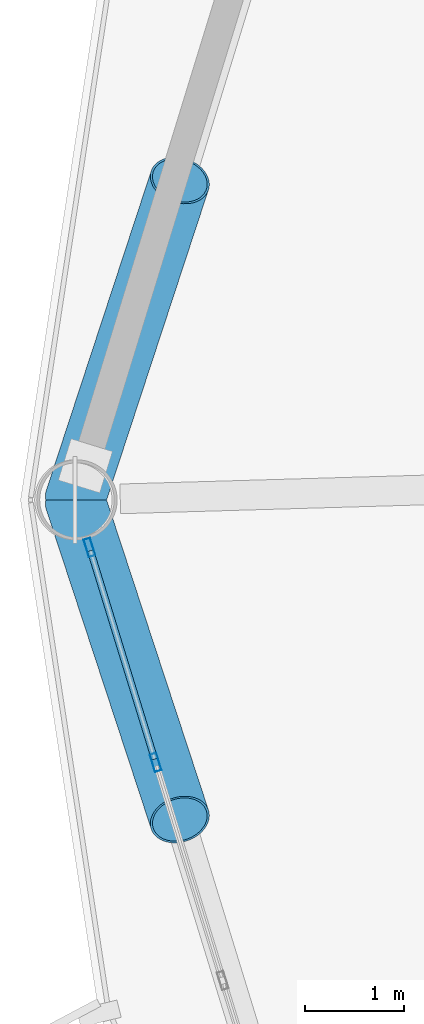
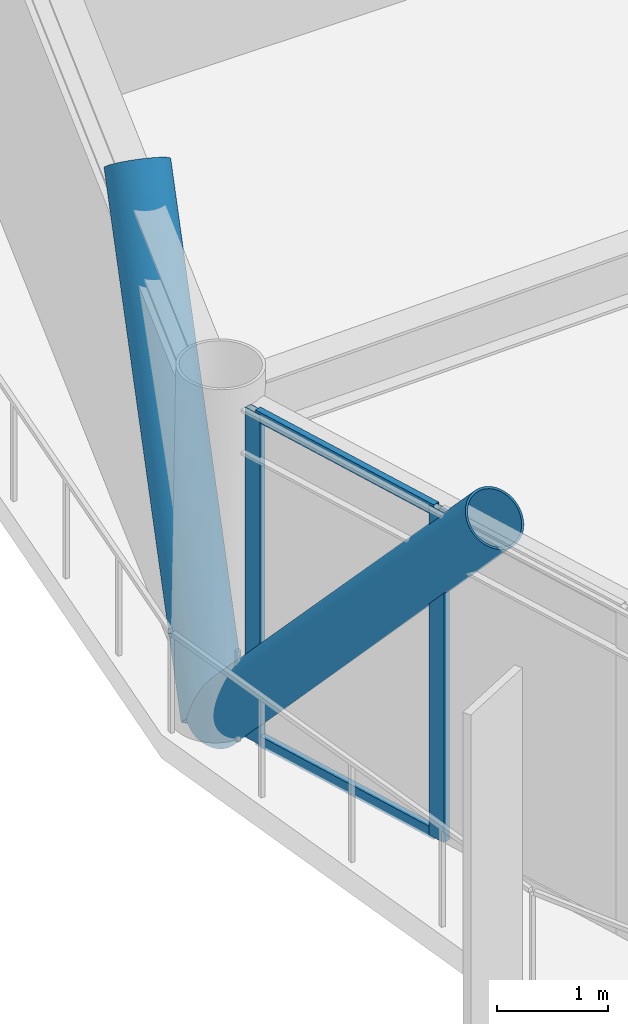
# One storey, part 8 of 24: 6 members, 1 element without a shape of its own.
"""IFC4 building model written with IfcOpenShell, lengths in metres."""

from ifc_helpers import new_model, si_unit, direction, frame, origin, origin_2d, place, context, subcontext, project, spatial, hollow_rectangle, hollow_circle, extrude, material, layer, layer_set, material_profile, profile_set, type_object, element, aggregate, save


model = new_model("IFC4")

# Units and contexts
model_context = context("Model", 3, precision=1e-05, world=origin(), true_north=direction((0.0, 1.0)))
body_context = subcontext(model_context, "Body", "Model", "MODEL_VIEW")
ifc_project = project(units=[si_unit("LENGTHUNIT", "METRE"), si_unit("AREAUNIT", "SQUARE_METRE"), si_unit("VOLUMEUNIT", "CUBIC_METRE"), si_unit("PLANEANGLEUNIT", "RADIAN"), si_unit("MASSUNIT", "GRAM", prefix="KILO")], contexts=[model_context])

# Site, building, storey
site_placement = place(None, origin())
site = spatial("IfcSite", under=ifc_project, at=site_placement, CompositionType="ELEMENT")
building_placement = place(site_placement, origin())
building = spatial("IfcBuilding", under=site, at=building_placement, Name="Varnakorn Sky Granary", CompositionType="ELEMENT")
storey_placement = place(building_placement, frame((0.0, 0.0, 111.0)))
storey = spatial("IfcBuildingStorey", under=building, at=storey_placement, Name="L27", CompositionType="ELEMENT", Elevation=111.0)

# Curtain wall, members
ifc_material_1 = material(Name="Anodised Bronze Aluminium Alloy 6063-T6", Category="aluminium")
ifc_layer = layer(ifc_material_1, 0.179931640625, Name="Anodised Bronze Aluminium Alloy 6063-T6")
ifc_layer_set = layer_set([ifc_layer], Name="Anodised Bronze Aluminium Alloy 6063-T6")
curtain_wall_type = type_object("IfcCurtainWallType", Name="CW-FRM-2", PredefinedType="USERDEFINED", material=ifc_layer_set)
curtain_wall_placement = place(storey_placement, origin())
curtain_wall = element("IfcCurtainWall", 1, at=curtain_wall_placement, inside=storey, type_object=curtain_wall_type, Name="Unitised Curtain Wall CW4 CW-L27-B07", ObjectType="CURTAIN WALL", PredefinedType="USERDEFINED")
ifc_material_profile_1 = material_profile(ifc_material_1, hollow_rectangle(XDim=0.070068359375, YDim=0.18505859375, WallThickness=0.00390625, at=origin_2d()), Name="ALU MULL 70x185")
ifc_profile_set_1 = profile_set([ifc_material_profile_1], Name="Anodised Bronze Aluminium Alloy 6063-T6")
member_type_1 = type_object("IfcMemberType", Name="CW-FRM-2-MULL", PredefinedType="MULLION", material=ifc_profile_set_1)
member_1_placement = place(storey_placement, frame((-22.1337890625, -2.651611328125, 0.0), z_axis=(0.0, 0.0, 1.0), x_axis=(-0.955737543089, -0.294220578361, 0.0)))
member_1 = element("IfcMember", 2, at=member_1_placement, type_object=member_type_1, Name="CW4 mullion 4", PredefinedType="MULLION", context=body_context, shape_type="SweptSolid", body=[
    extrude(hollow_rectangle(XDim=0.070068359375, YDim=0.18505859375, WallThickness=0.00390625, at=origin_2d()), origin(), (0.0, 0.0, 1.0), 3.639892578125),
])
member_2_placement = place(storey_placement, frame((-22.802490234375, -0.479248046875, 0.0), z_axis=(0.0, 0.0, 1.0), x_axis=(-0.955737543089, -0.294220578361, 0.0)))
member_2 = element("IfcMember", 3, at=member_2_placement, type_object=member_type_1, Name="CW4 mullion 5", PredefinedType="MULLION", context=body_context, shape_type="SweptSolid", body=[
    extrude(hollow_rectangle(XDim=0.070068359375, YDim=0.18505859375, WallThickness=0.00390625, at=origin_2d()), origin(), (0.0, 0.0, 1.0), 3.639892578125),
])
ifc_material_profile_2 = material_profile(ifc_material_1, hollow_rectangle(XDim=0.06494140625, YDim=0.1201171875, WallThickness=0.00341796875, at=origin_2d()), Name="ALU TRAN 65x120")
ifc_profile_set_2 = profile_set([ifc_material_profile_2], Name="Anodised Bronze Aluminium Alloy 6063-T6")
member_type_2 = type_object("IfcMemberType", Name="CW-FRM-2-TRAN", PredefinedType="USERDEFINED", material=ifc_profile_set_2)
member_3_placement = place(storey_placement, frame((-22.14404296875, -2.6181640625, 0.032470703125), z_axis=(-0.294132575183, 0.955764630135, 0.0), x_axis=(-0.955764630135, -0.294132575183, 0.0)))
member_3 = element("IfcMember", 4, at=member_3_placement, type_object=member_type_2, Name="CW4 transom 4.1", ObjectType="TRANSOM", PredefinedType="USERDEFINED", context=body_context, shape_type="SweptSolid", body=[
    extrude(hollow_rectangle(XDim=0.06494140625, YDim=0.1201171875, WallThickness=0.00341796875, at=origin_2d()), origin(), (0.0, 0.0, 1.0), 2.202880859375),
])
member_4_placement = place(storey_placement, frame((-22.14404296875, -2.6181640625, 3.607421875), z_axis=(-0.294132575183, 0.955764630135, 0.0), x_axis=(-0.955764630135, -0.294132575183, 0.0)))
member_4 = element("IfcMember", 5, at=member_4_placement, type_object=member_type_2, Name="CW4 transom 4.2", ObjectType="TRANSOM", PredefinedType="USERDEFINED", context=body_context, shape_type="SweptSolid", body=[
    extrude(hollow_rectangle(XDim=0.06494140625, YDim=0.1201171875, WallThickness=0.00341796875, at=origin_2d()), origin(), (0.0, 0.0, 1.0), 2.202880859375),
])
aggregate(curtain_wall, [member_1, member_2, member_3, member_4])

# Members
ifc_material_2 = material(Name="Steel S460M", Category="steel")
ifc_material_profile_3 = material_profile(ifc_material_2, hollow_circle(Radius=0.304931640625, WallThickness=0.022216796875, at=origin_2d()), Name="CHS 610x22")
ifc_profile_set_3 = profile_set([ifc_material_profile_3], Name="Steel S460M")
member_type_3 = type_object("IfcMemberType", Name="MB-DIAG-T1", PredefinedType="BRACE", material=ifc_profile_set_3)
for number, where, z_axis, x_axis, name in (
    (6, (-22.949951171875, 0.0, 0.0), (0.208342859009, 0.634426781944, 0.744376189472), (-0.950081323583, 0.312002369509, 0.0), "Perimeter CHS Diagrid Brace DG06 L27"),
    (7, (-22.949951171875, 0.0, 0.0), (0.208342859009, -0.634426781944, 0.744376189472), (0.950081323583, 0.312002369509, 0.0), "Perimeter CHS Diagrid Brace DG07 L27"),
):
    element("IfcMember", number, at=place(storey_placement, frame(where, z_axis=z_axis, x_axis=x_axis)), inside=storey, type_object=member_type_3, Name=name, PredefinedType="BRACE", context=body_context, shape_type="SweptSolid", body=[
        extrude(hollow_circle(Radius=0.304931640625, WallThickness=0.022216796875, at=origin_2d()), origin(), (0.0, 0.0, 1.0), 5.091552734375),
    ])

save(model, "model.ifc")
